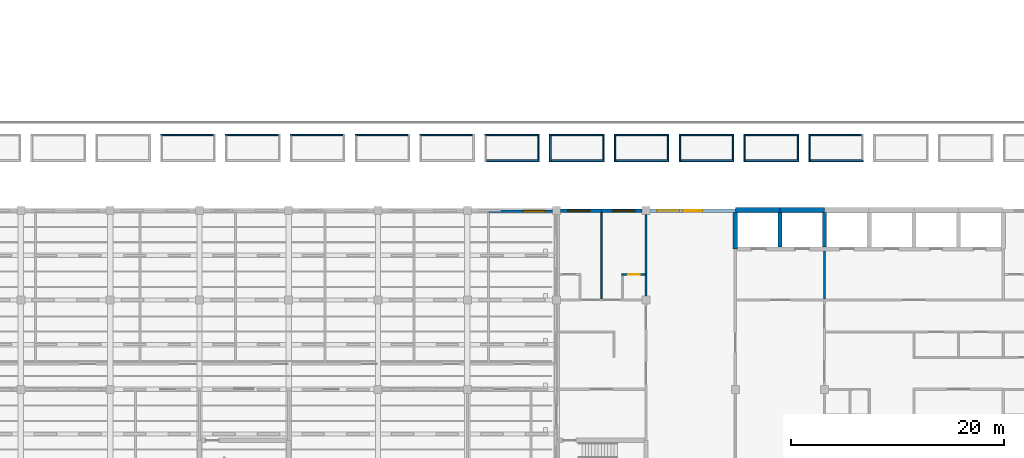
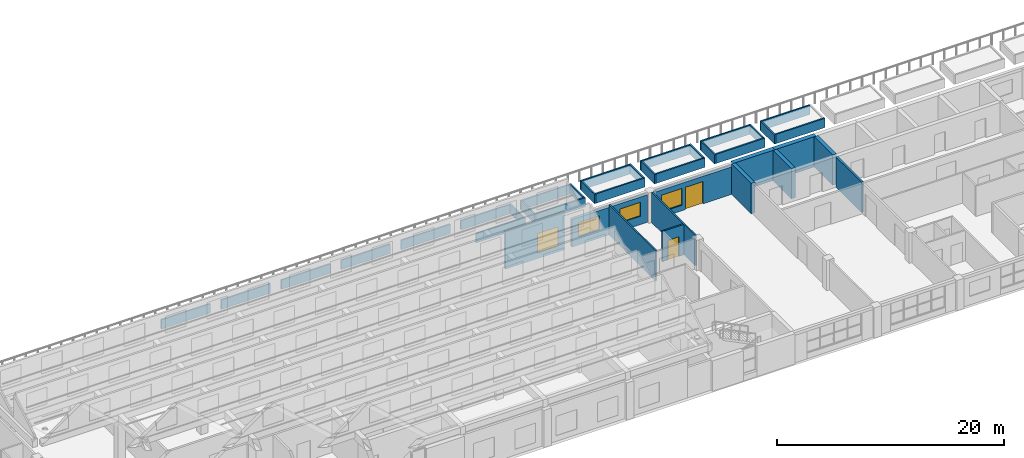
# One storey, part 39 of 61: 40 walls, 4 windows, 2 doors, 6 openings.
"""IFC4 building model written with IfcOpenShell, lengths in metres."""

from ifc_helpers import new_model, si_unit, direction, frame, frame_2d, origin, place, context, subcontext, project, spatial, rectangle, extrude, material, layer, layer_set, type_object, element, fill, save


model = new_model("IFC4")

# Units and contexts
model_context = context("Model", 3, precision=1e-05, world=origin(), true_north=direction((0.0, 1.0)))
body_context = subcontext(model_context, "Body", "Model", "MODEL_VIEW")
ifc_project = project(units=[si_unit("LENGTHUNIT", "METRE"), si_unit("AREAUNIT", "SQUARE_METRE"), si_unit("VOLUMEUNIT", "CUBIC_METRE"), si_unit("PLANEANGLEUNIT", "RADIAN"), si_unit("MASSUNIT", "GRAM", prefix="KILO")], contexts=[model_context])

# Site, building, storey
site_placement = place(None, origin())
site = spatial("IfcSite", under=ifc_project, at=site_placement, CompositionType="ELEMENT")
building_placement = place(site_placement, origin())
building = spatial("IfcBuilding", under=site, at=building_placement, Name="Yavir Park General Hospital", CompositionType="ELEMENT")
storey_placement = place(building_placement, frame((0.0, 0.0, 15.300048828125)))
storey = spatial("IfcBuildingStorey", under=building, at=storey_placement, Name="L03", CompositionType="ELEMENT", Elevation=15.300048828125)

# Wall
ifc_material_1 = material(Name="Double gypsum board fire partition on steel studs", Category="steel")
ifc_layer_1 = layer(ifc_material_1, 0.199951171875)
ifc_layer_set_1 = layer_set([ifc_layer_1], Name="Double gypsum board fire partition on steel studs")
wall_type_1 = type_object("IfcWallType", Name="Fire-rated partition 200, EI 60", PredefinedType="PARTITIONING", material=ifc_layer_set_1)
wall_1_placement = place(storey_placement, frame((126.0, 16.89990234375, 0.0), z_axis=(0.0, 0.0, 1.0), x_axis=(0.0, 1.0, 0.0)))
element("IfcWall", 1, at=wall_1_placement, inside=storey, type_object=wall_type_1, Name="FP20 L03-259", PredefinedType="PARTITIONING", context=body_context, shape_type="SweptSolid", body=[
    extrude(rectangle(XDim=4.5, YDim=0.199951171875, at=frame_2d((2.25, 0.0))), origin(), (0.0, 0.0, 1.0), 3.260009765625),
])

# Wall, opening, door
ifc_material_2 = material(Name="Gypsum board partition on steel studs", Category="steel")
ifc_layer_2 = layer(ifc_material_2, 0.14990234375)
ifc_layer_set_2 = layer_set([ifc_layer_2], Name="Gypsum board partition on steel studs")
wall_type_2 = type_object("IfcWallType", Name="Gypsum board partition 150", PredefinedType="PARTITIONING", material=ifc_layer_set_2)
wall_2_placement = place(storey_placement, frame((106.925048828125, 19.199951171875, 0.0), z_axis=(0.0, 0.0, 1.0), x_axis=(1.0, 0.0, 0.0)))
wall_2 = element("IfcWall", 2, at=wall_2_placement, inside=storey, type_object=wall_type_2, Name="P15 L03-054", PredefinedType="PARTITIONING", context=body_context, shape_type="SweptSolid", body=[
    extrude(rectangle(XDim=2.199951171875, YDim=0.14990234375, at=frame_2d((1.10009765625, 0.0))), origin(), (0.0, 0.0, 1.0), 3.260009765625),
])
opening_1_placement = place(wall_2_placement, frame((0.58740234375, 0.0, 0.0)))
opening_1 = element("IfcOpeningElement", 3, at=opening_1_placement, cuts=wall_2, Name="Opening L03.D067", PredefinedType="OPENING", context=body_context, shape_type="SweptSolid", body=[
    extrude(rectangle(XDim=1.10009765625, YDim=2.10009765625, at=frame_2d((0.550048828125, 1.050048828125))), frame((0.0, 0.0849609375, 0.0), z_axis=(0.0, -1.0, 0.0), x_axis=(1.0, 0.0, 0.0)), (0.0, 0.0, 1.0), 0.169921875),
])
ifc_material_3 = material(Name="Hollow metal frame, solid-core timber leaf", Category="wood")
door_type_1 = type_object("IfcDoorType", Name="Single swing door 1100 x 2100", OperationType="SINGLE_SWING_LEFT", PredefinedType="DOOR", material=ifc_material_3)
door_1_placement = place(opening_1_placement, origin())
door_1 = element("IfcDoor", 4, at=door_1_placement, inside=storey, type_object=door_type_1, Name="L03.D067", OperationType="SINGLE_SWING_LEFT", OverallHeight=2.10009765625, OverallWidth=1.10009765625, PredefinedType="DOOR", context=body_context, shape_type="SweptSolid", body=[
    extrude(rectangle(XDim=1.10009765625, YDim=2.10009765625, at=frame_2d((0.550048828125, 1.050048828125))), frame((0.0, 0.02490234375, 0.0), z_axis=(0.0, -1.0, 0.0), x_axis=(1.0, 0.0, 0.0)), (0.0, 0.0, 1.0), 0.050048828125),
])
fill(opening_1, door_1)

# Walls
wall_3_placement = place(storey_placement, frame((105.0, 16.875, 0.0), z_axis=(0.0, 0.0, 1.0), x_axis=(0.0, 1.0, 0.0)))
element("IfcWall", 5, at=wall_3_placement, inside=storey, type_object=wall_type_2, Name="P15 L03-247", PredefinedType="PARTITIONING", context=body_context, shape_type="SweptSolid", body=[
    extrude(rectangle(XDim=8.175048828125, YDim=0.14990234375, at=frame_2d((4.08740234375, 0.0))), origin(), (0.0, 0.0, 1.0), 3.260009765625),
])
wall_4_placement = place(storey_placement, frame((109.199951171875, 17.175048828125, 0.0), z_axis=(0.0, 0.0, 1.0), x_axis=(0.0, 1.0, 0.0)))
element("IfcWall", 6, at=wall_4_placement, inside=storey, type_object=wall_type_2, Name="P15 L03-252", PredefinedType="PARTITIONING", context=body_context, shape_type="SweptSolid", body=[
    extrude(rectangle(XDim=7.64990234375, YDim=0.14990234375, at=frame_2d((3.824951171875, 0.0))), origin(), (0.0, 0.0, 1.0), 3.260009765625),
])

# Wall, opening, window
ifc_material_4 = material(Name="Insulated sheet steel panels on a Steel S355 subframe", Category="steel")
ifc_layer_3 = layer(ifc_material_4, 0.22509765625)
ifc_layer_set_3 = layer_set([ifc_layer_3], Name="Insulated sheet steel panels on a Steel S355 subframe")
wall_type_3 = type_object("IfcWallType", Name="Louvred plant wall 225, E 30", PredefinedType="SOLIDWALL", material=ifc_layer_set_3)
wall_5_placement = place(storey_placement, frame((94.39990234375, 25.16259765625, 0.0), z_axis=(0.0, 0.0, 1.0), x_axis=(1.0, 0.0, 0.0)))
wall_5 = element("IfcWall", 7, at=wall_5_placement, inside=storey, type_object=wall_type_3, Name="XW4 L03-060", PredefinedType="SOLIDWALL", context=body_context, shape_type="SweptSolid", body=[
    extrude(rectangle(XDim=6.025146484375, YDim=0.22509765625, at=frame_2d((3.0126953125, 0.0))), origin(), (0.0, 0.0, 1.0), 4.0),
])
opening_2_placement = place(wall_5_placement, frame((3.25, 0.0, 0.60009765625)))
opening_2 = element("IfcOpeningElement", 8, at=opening_2_placement, cuts=wall_5, Name="Opening LV2", PredefinedType="OPENING", context=body_context, shape_type="SweptSolid", body=[
    extrude(rectangle(XDim=2.10009765625, YDim=2.10009765625, at=frame_2d((1.050048828125, 1.050048828125))), frame((0.0, 0.12255859375, 0.0), z_axis=(0.0, -1.0, 0.0), x_axis=(1.0, 0.0, 0.0)), (0.0, 0.0, 1.0), 0.2451171875),
])
ifc_material_5 = material(Name="Anodised aluminium louvre blades in a deep frame", Category="aluminium")
window_type_1 = type_object("IfcWindowType", Name="Tall plant louvre 2100 x 2100", PartitioningType="SINGLE_PANEL", PredefinedType="WINDOW", material=ifc_material_5)
window_1_placement = place(opening_2_placement, origin())
window_1 = element("IfcWindow", 9, at=window_1_placement, inside=storey, type_object=window_type_1, Name="LV2 L03-034", OverallHeight=2.10009765625, OverallWidth=2.10009765625, PartitioningType="SINGLE_PANEL", PredefinedType="WINDOW", context=body_context, shape_type="SweptSolid", body=[
    extrude(rectangle(XDim=2.10009765625, YDim=2.10009765625, at=frame_2d((1.050048828125, 1.050048828125))), frame((0.0, 0.074951171875, 0.0), z_axis=(0.0, -1.0, 0.0), x_axis=(1.0, 0.0, 0.0)), (0.0, 0.0, 1.0), 0.14990234375),
])
fill(opening_2, window_1)

ifc_material_6 = material(Name="Autoclaved aerated block, mineral wool and ochre mineral render")
ifc_layer_4 = layer(ifc_material_6, 0.300048828125)
ifc_layer_set_4 = layer_set([ifc_layer_4], Name="Autoclaved aerated block, mineral wool and ochre mineral render")
wall_type_4 = type_object("IfcWallType", Name="Ochre render ward wall 300, E 30", PredefinedType="SOLIDWALL", material=ifc_layer_set_4)
wall_6_placement = place(storey_placement, frame((101.175048828125, 25.199951171875, 0.0), z_axis=(0.0, 0.0, 1.0), x_axis=(1.0, 0.0, 0.0)))
wall_6 = element("IfcWall", 10, at=wall_6_placement, inside=storey, type_object=wall_type_4, Name="XW7 L03-061", PredefinedType="SOLIDWALL", context=body_context, shape_type="SweptSolid", body=[
    extrude(rectangle(XDim=3.824951171875, YDim=0.300048828125, at=frame_2d((1.91259765625, 0.0))), origin(), (0.0, 0.0, 1.0), 2.9599609375),
])
opening_3_placement = place(wall_6_placement, frame((0.675048828125, 0.0, 0.89990234375)))
opening_3 = element("IfcOpeningElement", 11, at=opening_3_placement, cuts=wall_6, Name="Opening WAR", PredefinedType="OPENING", context=body_context, shape_type="SweptSolid", body=[
    extrude(rectangle(XDim=2.10009765625, YDim=1.5, at=frame_2d((1.050048828125, 0.75))), frame((0.0, 0.159912109375, 0.0), z_axis=(0.0, -1.0, 0.0), x_axis=(1.0, 0.0, 0.0)), (0.0, 0.0, 1.0), 0.320068359375),
])
ifc_material_7 = material(Name="Aluminium frame, tilt-and-turn sash with opening restrictor, double glazed unit", Category="aluminium")
window_type_2 = type_object("IfcWindowType", Name="Ward window, restricted opening 2100 x 1500", PartitioningType="DOUBLE_PANEL_VERTICAL", PredefinedType="WINDOW", material=ifc_material_7)
window_2_placement = place(opening_3_placement, origin())
window_2 = element("IfcWindow", 12, at=window_2_placement, inside=storey, type_object=window_type_2, Name="WAR L03-035", OverallHeight=1.5, OverallWidth=2.10009765625, PartitioningType="DOUBLE_PANEL_VERTICAL", PredefinedType="WINDOW", context=body_context, shape_type="SweptSolid", body=[
    extrude(rectangle(XDim=2.10009765625, YDim=1.5, at=frame_2d((1.050048828125, 0.75))), frame((0.0, 0.050048828125, 0.0), z_axis=(0.0, -1.0, 0.0), x_axis=(1.0, 0.0, 0.0)), (0.0, 0.0, 1.0), 0.10009765625),
])
fill(opening_3, window_2)

wall_7_placement = place(storey_placement, frame((105.0, 25.199951171875, 0.0), z_axis=(0.0, 0.0, 1.0), x_axis=(1.0, 0.0, 0.0)))
wall_7 = element("IfcWall", 13, at=wall_7_placement, inside=storey, type_object=wall_type_4, Name="XW7 L03-062", PredefinedType="SOLIDWALL", context=body_context, shape_type="SweptSolid", body=[
    extrude(rectangle(XDim=3.824951171875, YDim=0.300048828125, at=frame_2d((1.91259765625, 0.0))), origin(), (0.0, 0.0, 1.0), 2.9599609375),
])
opening_4_placement = place(wall_7_placement, frame((1.050048828125, 0.0, 0.89990234375)))
opening_4 = element("IfcOpeningElement", 14, at=opening_4_placement, cuts=wall_7, Name="Opening WAR", PredefinedType="OPENING", context=body_context, shape_type="SweptSolid", body=[
    extrude(rectangle(XDim=2.10009765625, YDim=1.5, at=frame_2d((1.050048828125, 0.75))), frame((0.0, 0.159912109375, 0.0), z_axis=(0.0, -1.0, 0.0), x_axis=(1.0, 0.0, 0.0)), (0.0, 0.0, 1.0), 0.320068359375),
])
window_3_placement = place(opening_4_placement, origin())
window_3 = element("IfcWindow", 15, at=window_3_placement, inside=storey, type_object=window_type_2, Name="WAR L03-036", OverallHeight=1.5, OverallWidth=2.10009765625, PartitioningType="DOUBLE_PANEL_VERTICAL", PredefinedType="WINDOW", context=body_context, shape_type="SweptSolid", body=[
    extrude(rectangle(XDim=2.10009765625, YDim=1.5, at=frame_2d((1.050048828125, 0.75))), frame((0.0, 0.050048828125, 0.0), z_axis=(0.0, -1.0, 0.0), x_axis=(1.0, 0.0, 0.0)), (0.0, 0.0, 1.0), 0.10009765625),
])
fill(opening_4, window_3)

# Wall, openings, window, door
wall_8_placement = place(storey_placement, frame((109.574951171875, 25.199951171875, 0.0), z_axis=(0.0, 0.0, 1.0), x_axis=(1.0, 0.0, 0.0)))
wall_8 = element("IfcWall", 16, at=wall_8_placement, inside=storey, type_object=wall_type_4, Name="XW7 L03-063", PredefinedType="SOLIDWALL", context=body_context, shape_type="SweptSolid", body=[
    extrude(rectangle(XDim=8.025146484375, YDim=0.300048828125, at=frame_2d((4.0126953125, 0.0))), origin(), (0.0, 0.0, 1.0), 2.9599609375),
])
opening_5_placement = place(wall_8_placement, frame((0.675048828125, 0.0, 0.60009765625)))
opening_5 = element("IfcOpeningElement", 17, at=opening_5_placement, cuts=wall_8, Name="Opening WB", PredefinedType="OPENING", context=body_context, shape_type="SweptSolid", body=[
    extrude(rectangle(XDim=2.10009765625, YDim=1.800048828125, at=frame_2d((1.050048828125, 0.89990234375))), frame((0.0, 0.159912109375, 0.0), z_axis=(0.0, -1.0, 0.0), x_axis=(1.0, 0.0, 0.0)), (0.0, 0.0, 1.0), 0.320068359375),
])
opening_6_placement = place(wall_8_placement, frame((3.112548828125, 0.0, 0.0)))
opening_6 = element("IfcOpeningElement", 18, at=opening_6_placement, cuts=wall_8, Name="Opening L03.X02", PredefinedType="OPENING", context=body_context, shape_type="SweptSolid", body=[
    extrude(rectangle(XDim=1.800048828125, YDim=2.39990234375, at=frame_2d((0.89990234375, 1.199951171875))), frame((0.0, 0.159912109375, 0.0), z_axis=(0.0, -1.0, 0.0), x_axis=(1.0, 0.0, 0.0)), (0.0, 0.0, 1.0), 0.320068359375),
])
ifc_material_8 = material(Name="Aluminium frame, double glazed unit", Category="aluminium")
window_type_3 = type_object("IfcWindowType", Name="Day room low-sill window 2100 x 1800", PartitioningType="DOUBLE_PANEL_VERTICAL", PredefinedType="WINDOW", material=ifc_material_8)
window_4_placement = place(opening_5_placement, origin())
window_4 = element("IfcWindow", 19, at=window_4_placement, inside=storey, type_object=window_type_3, Name="WB L03-037", OverallHeight=1.800048828125, OverallWidth=2.10009765625, PartitioningType="DOUBLE_PANEL_VERTICAL", PredefinedType="WINDOW", context=body_context, shape_type="SweptSolid", body=[
    extrude(rectangle(XDim=2.10009765625, YDim=1.800048828125, at=frame_2d((1.050048828125, 0.89990234375))), frame((0.0, 0.030029296875, 0.0), z_axis=(0.0, -1.0, 0.0), x_axis=(1.0, 0.0, 0.0)), (0.0, 0.0, 1.0), 0.06005859375),
])
fill(opening_5, window_4)
ifc_material_9 = material(Name="Aluminium thermal-break frame, double glazed leaves", Category="aluminium")
door_type_2 = type_object("IfcDoorType", Name="Thermally broken balcony sliding door 1800 x 2400", OperationType="DOUBLE_DOOR_SLIDING", PredefinedType="DOOR", material=ifc_material_9)
door_2_placement = place(opening_6_placement, origin())
door_2 = element("IfcDoor", 20, at=door_2_placement, inside=storey, type_object=door_type_2, Name="L03.X02", OperationType="DOUBLE_DOOR_SLIDING", OverallHeight=2.39990234375, OverallWidth=1.800048828125, PredefinedType="DOOR", context=body_context, shape_type="SweptSolid", body=[
    extrude(rectangle(XDim=1.800048828125, YDim=2.39990234375, at=frame_2d((0.89990234375, 1.199951171875))), frame((0.0, 0.030029296875, 0.0), z_axis=(0.0, -1.0, 0.0), x_axis=(1.0, 0.0, 0.0)), (0.0, 0.0, 1.0), 0.06005859375),
])
fill(opening_6, door_2)

# Walls
ifc_material_10 = material(Name="Concrete C30/37", Category="concrete")
ifc_layer_5 = layer(ifc_material_10, 0.14990234375)
ifc_layer_set_5 = layer_set([ifc_layer_5], Name="Concrete C30/37")
wall_type_5 = type_object("IfcWallType", Name="Planter upstand 150 x 1000", PredefinedType="STANDARD", material=ifc_layer_set_5)
for number, where, z_axis, x_axis, name in (
    (21, (68.546630859375, 32.300048828125, 0.0), (0.0, 0.0, 1.0), (-1.0, 0.0, 0.0), "Planter upstand 7.3"),
    (22, (74.642333984375, 32.300048828125, 0.0), (0.0, 0.0, 1.0), (-1.0, 0.0, 0.0), "Planter upstand 8.3"),
    (23, (80.738037109375, 32.300048828125, 0.0), (0.0, 0.0, 1.0), (-1.0, 0.0, 0.0), "Planter upstand 9.3"),
    (24, (86.833740234375, 32.300048828125, 0.0), (0.0, 0.0, 1.0), (-1.0, 0.0, 0.0), "Planter upstand 10.3"),
    (25, (92.92919921875, 32.300048828125, 0.0), (0.0, 0.0, 1.0), (-1.0, 0.0, 0.0), "Planter upstand 11.3"),
    (26, (94.175048828125, 29.89990234375, 0.0), (0.0, 0.0, 1.0), (1.0, 0.0, 0.0), "Planter upstand 12.1"),
):
    element("IfcWall", number, at=place(storey_placement, frame(where, z_axis=z_axis, x_axis=x_axis)), inside=storey, type_object=wall_type_5, Name=name, PredefinedType="STANDARD", context=body_context, shape_type="SweptSolid", body=[
        extrude(rectangle(XDim=5.0, YDim=0.14990234375, at=frame_2d((2.5, 0.0))), origin(), (0.0, 0.0, 1.0), 1.0),
    ])
wall_9_placement = place(storey_placement, frame((99.10009765625, 29.97509765625, 0.0), z_axis=(0.0, 0.0, 1.0), x_axis=(0.0, 1.0, 0.0)))
element("IfcWall", 27, at=wall_9_placement, inside=storey, type_object=wall_type_5, Name="Planter upstand 12.2", PredefinedType="STANDARD", context=body_context, shape_type="SweptSolid", body=[
    extrude(rectangle(XDim=2.39990234375, YDim=0.14990234375, at=frame_2d((1.199951171875, 0.0))), origin(), (0.0, 0.0, 1.0), 1.0),
])
for number, where, z_axis, x_axis, name in (
    (28, (99.02490234375, 32.300048828125, 0.0), (0.0, 0.0, 1.0), (-1.0, 0.0, 0.0), "Planter upstand 12.3"),
    (29, (100.270751953125, 29.89990234375, 0.0), (0.0, 0.0, 1.0), (1.0, 0.0, 0.0), "Planter upstand 13.1"),
):
    element("IfcWall", number, at=place(storey_placement, frame(where, z_axis=z_axis, x_axis=x_axis)), inside=storey, type_object=wall_type_5, Name=name, PredefinedType="STANDARD", context=body_context, shape_type="SweptSolid", body=[
        extrude(rectangle(XDim=5.0, YDim=0.14990234375, at=frame_2d((2.5, 0.0))), origin(), (0.0, 0.0, 1.0), 1.0),
    ])
wall_10_placement = place(storey_placement, frame((105.19580078125, 29.97509765625, 0.0), z_axis=(0.0, 0.0, 1.0), x_axis=(0.0, 1.0, 0.0)))
element("IfcWall", 30, at=wall_10_placement, inside=storey, type_object=wall_type_5, Name="Planter upstand 13.2", PredefinedType="STANDARD", context=body_context, shape_type="SweptSolid", body=[
    extrude(rectangle(XDim=2.39990234375, YDim=0.14990234375, at=frame_2d((1.199951171875, 0.0))), origin(), (0.0, 0.0, 1.0), 1.0),
])
wall_11_placement = place(storey_placement, frame((105.12060546875, 32.300048828125, 0.0), z_axis=(0.0, 0.0, 1.0), x_axis=(-1.0, 0.0, 0.0)))
element("IfcWall", 31, at=wall_11_placement, inside=storey, type_object=wall_type_5, Name="Planter upstand 13.3", PredefinedType="STANDARD", context=body_context, shape_type="SweptSolid", body=[
    extrude(rectangle(XDim=5.0, YDim=0.14990234375, at=frame_2d((2.5, 0.0))), origin(), (0.0, 0.0, 1.0), 1.0),
])
wall_12_placement = place(storey_placement, frame((100.19580078125, 32.22509765625, 0.0), z_axis=(0.0, 0.0, 1.0), x_axis=(0.0, -1.0, 0.0)))
element("IfcWall", 32, at=wall_12_placement, inside=storey, type_object=wall_type_5, Name="Planter upstand 13.4", PredefinedType="STANDARD", context=body_context, shape_type="SweptSolid", body=[
    extrude(rectangle(XDim=2.400146484375, YDim=0.14990234375, at=frame_2d((1.2001953125, 0.0))), origin(), (0.0, 0.0, 1.0), 1.0),
])
wall_13_placement = place(storey_placement, frame((106.3662109375, 29.89990234375, 0.0), z_axis=(0.0, 0.0, 1.0), x_axis=(1.0, 0.0, 0.0)))
element("IfcWall", 33, at=wall_13_placement, inside=storey, type_object=wall_type_5, Name="Planter upstand 14.1", PredefinedType="STANDARD", context=body_context, shape_type="SweptSolid", body=[
    extrude(rectangle(XDim=5.0, YDim=0.14990234375, at=frame_2d((2.5, 0.0))), origin(), (0.0, 0.0, 1.0), 1.0),
])
wall_14_placement = place(storey_placement, frame((111.291259765625, 29.97509765625, 0.0), z_axis=(0.0, 0.0, 1.0), x_axis=(0.0, 1.0, 0.0)))
element("IfcWall", 34, at=wall_14_placement, inside=storey, type_object=wall_type_5, Name="Planter upstand 14.2", PredefinedType="STANDARD", context=body_context, shape_type="SweptSolid", body=[
    extrude(rectangle(XDim=2.39990234375, YDim=0.14990234375, at=frame_2d((1.199951171875, 0.0))), origin(), (0.0, 0.0, 1.0), 1.0),
])
wall_15_placement = place(storey_placement, frame((111.21630859375, 32.300048828125, 0.0), z_axis=(0.0, 0.0, 1.0), x_axis=(-1.0, 0.0, 0.0)))
element("IfcWall", 35, at=wall_15_placement, inside=storey, type_object=wall_type_5, Name="Planter upstand 14.3", PredefinedType="STANDARD", context=body_context, shape_type="SweptSolid", body=[
    extrude(rectangle(XDim=5.0, YDim=0.14990234375, at=frame_2d((2.5, 0.0))), origin(), (0.0, 0.0, 1.0), 1.0),
])
wall_16_placement = place(storey_placement, frame((106.291259765625, 32.22509765625, 0.0), z_axis=(0.0, 0.0, 1.0), x_axis=(0.0, -1.0, 0.0)))
element("IfcWall", 36, at=wall_16_placement, inside=storey, type_object=wall_type_5, Name="Planter upstand 14.4", PredefinedType="STANDARD", context=body_context, shape_type="SweptSolid", body=[
    extrude(rectangle(XDim=2.400146484375, YDim=0.14990234375, at=frame_2d((1.2001953125, 0.0))), origin(), (0.0, 0.0, 1.0), 1.0),
])
wall_17_placement = place(storey_placement, frame((112.4619140625, 29.89990234375, 0.0), z_axis=(0.0, 0.0, 1.0), x_axis=(1.0, 0.0, 0.0)))
element("IfcWall", 37, at=wall_17_placement, inside=storey, type_object=wall_type_5, Name="Planter upstand 15.1", PredefinedType="STANDARD", context=body_context, shape_type="SweptSolid", body=[
    extrude(rectangle(XDim=5.0, YDim=0.14990234375, at=frame_2d((2.5, 0.0))), origin(), (0.0, 0.0, 1.0), 1.0),
])
wall_18_placement = place(storey_placement, frame((117.386962890625, 29.97509765625, 0.0), z_axis=(0.0, 0.0, 1.0), x_axis=(0.0, 1.0, 0.0)))
element("IfcWall", 38, at=wall_18_placement, inside=storey, type_object=wall_type_5, Name="Planter upstand 15.2", PredefinedType="STANDARD", context=body_context, shape_type="SweptSolid", body=[
    extrude(rectangle(XDim=2.39990234375, YDim=0.14990234375, at=frame_2d((1.199951171875, 0.0))), origin(), (0.0, 0.0, 1.0), 1.0),
])
wall_19_placement = place(storey_placement, frame((117.31201171875, 32.300048828125, 0.0), z_axis=(0.0, 0.0, 1.0), x_axis=(-1.0, 0.0, 0.0)))
element("IfcWall", 39, at=wall_19_placement, inside=storey, type_object=wall_type_5, Name="Planter upstand 15.3", PredefinedType="STANDARD", context=body_context, shape_type="SweptSolid", body=[
    extrude(rectangle(XDim=5.0, YDim=0.14990234375, at=frame_2d((2.5, 0.0))), origin(), (0.0, 0.0, 1.0), 1.0),
])
wall_20_placement = place(storey_placement, frame((112.386962890625, 32.22509765625, 0.0), z_axis=(0.0, 0.0, 1.0), x_axis=(0.0, -1.0, 0.0)))
element("IfcWall", 40, at=wall_20_placement, inside=storey, type_object=wall_type_5, Name="Planter upstand 15.4", PredefinedType="STANDARD", context=body_context, shape_type="SweptSolid", body=[
    extrude(rectangle(XDim=2.400146484375, YDim=0.14990234375, at=frame_2d((1.2001953125, 0.0))), origin(), (0.0, 0.0, 1.0), 1.0),
])
wall_21_placement = place(storey_placement, frame((118.5576171875, 29.89990234375, 0.0), z_axis=(0.0, 0.0, 1.0), x_axis=(1.0, 0.0, 0.0)))
element("IfcWall", 41, at=wall_21_placement, inside=storey, type_object=wall_type_5, Name="Planter upstand 16.1", PredefinedType="STANDARD", context=body_context, shape_type="SweptSolid", body=[
    extrude(rectangle(XDim=5.0, YDim=0.14990234375, at=frame_2d((2.5, 0.0))), origin(), (0.0, 0.0, 1.0), 1.0),
])
wall_22_placement = place(storey_placement, frame((123.482666015625, 29.97509765625, 0.0), z_axis=(0.0, 0.0, 1.0), x_axis=(0.0, 1.0, 0.0)))
element("IfcWall", 42, at=wall_22_placement, inside=storey, type_object=wall_type_5, Name="Planter upstand 16.2", PredefinedType="STANDARD", context=body_context, shape_type="SweptSolid", body=[
    extrude(rectangle(XDim=2.39990234375, YDim=0.14990234375, at=frame_2d((1.199951171875, 0.0))), origin(), (0.0, 0.0, 1.0), 1.0),
])
wall_23_placement = place(storey_placement, frame((123.40771484375, 32.300048828125, 0.0), z_axis=(0.0, 0.0, 1.0), x_axis=(-1.0, 0.0, 0.0)))
element("IfcWall", 43, at=wall_23_placement, inside=storey, type_object=wall_type_5, Name="Planter upstand 16.3", PredefinedType="STANDARD", context=body_context, shape_type="SweptSolid", body=[
    extrude(rectangle(XDim=5.0, YDim=0.14990234375, at=frame_2d((2.5, 0.0))), origin(), (0.0, 0.0, 1.0), 1.0),
])
wall_24_placement = place(storey_placement, frame((118.482666015625, 32.22509765625, 0.0), z_axis=(0.0, 0.0, 1.0), x_axis=(0.0, -1.0, 0.0)))
element("IfcWall", 44, at=wall_24_placement, inside=storey, type_object=wall_type_5, Name="Planter upstand 16.4", PredefinedType="STANDARD", context=body_context, shape_type="SweptSolid", body=[
    extrude(rectangle(XDim=2.400146484375, YDim=0.14990234375, at=frame_2d((1.2001953125, 0.0))), origin(), (0.0, 0.0, 1.0), 1.0),
])
for number, where, z_axis, x_axis, name in (
    (45, (124.6533203125, 29.89990234375, 0.0), (0.0, 0.0, 1.0), (1.0, 0.0, 0.0), "Planter upstand 17.1"),
    (46, (129.50341796875, 32.300048828125, 0.0), (0.0, 0.0, 1.0), (-1.0, 0.0, 0.0), "Planter upstand 17.3"),
):
    element("IfcWall", number, at=place(storey_placement, frame(where, z_axis=z_axis, x_axis=x_axis)), inside=storey, type_object=wall_type_5, Name=name, PredefinedType="STANDARD", context=body_context, shape_type="SweptSolid", body=[
        extrude(rectangle(XDim=5.0, YDim=0.14990234375, at=frame_2d((2.5, 0.0))), origin(), (0.0, 0.0, 1.0), 1.0),
    ])
wall_25_placement = place(storey_placement, frame((124.578369140625, 32.22509765625, 0.0), z_axis=(0.0, 0.0, 1.0), x_axis=(0.0, -1.0, 0.0)))
element("IfcWall", 47, at=wall_25_placement, inside=storey, type_object=wall_type_5, Name="Planter upstand 17.4", PredefinedType="STANDARD", context=body_context, shape_type="SweptSolid", body=[
    extrude(rectangle(XDim=2.400146484375, YDim=0.14990234375, at=frame_2d((1.2001953125, 0.0))), origin(), (0.0, 0.0, 1.0), 1.0),
])
ifc_material_11 = material(Name="Concrete C35/45", Category="concrete")
ifc_layer_6 = layer(ifc_material_11, 0.39990234375)
ifc_layer_set_6 = layer_set([ifc_layer_6], Name="Concrete C35/45")
wall_type_6 = type_object("IfcWallType", Name="Reinforced concrete core wall 400, REI 150", PredefinedType="SHEAR", material=ifc_layer_set_6)
wall_26_placement = place(storey_placement, frame((117.60009765625, 21.60009765625, 0.0), z_axis=(0.0, 0.0, 1.0), x_axis=(0.0, 1.0, 0.0)))
element("IfcWall", 48, at=wall_26_placement, inside=storey, type_object=wall_type_6, Name="CW40 L03-255", PredefinedType="SHEAR", context=body_context, shape_type="SweptSolid", body=[
    extrude(rectangle(XDim=3.449951171875, YDim=0.39990234375, at=frame_2d((1.72509765625, 0.0))), origin(), (0.0, 0.0, 1.0), 3.260009765625),
])
for number, where, z_axis, x_axis, name in (
    (49, (121.800048828125, 21.800048828125, 0.0), (0.0, 0.0, 1.0), (0.0, 1.0, 0.0), "CW40 L03-256"),
    (50, (126.0, 21.800048828125, 0.0), (0.0, 0.0, 1.0), (0.0, 1.0, 0.0), "CW40 L03-260"),
):
    element("IfcWall", number, at=place(storey_placement, frame(where, z_axis=z_axis, x_axis=x_axis)), inside=storey, type_object=wall_type_6, Name=name, PredefinedType="SHEAR", context=body_context, shape_type="SweptSolid", body=[
        extrude(rectangle(XDim=3.25, YDim=0.39990234375, at=frame_2d((1.625, 0.0))), origin(), (0.0, 0.0, 1.0), 3.260009765625),
    ])
ifc_material_12 = material(Name="Concrete C30/37 precast panel with 150 mm mineral wool insulation", Category="concrete")
ifc_layer_7 = layer(ifc_material_12, 0.449951171875)
ifc_layer_set_7 = layer_set([ifc_layer_7], Name="Concrete C30/37 precast panel with 150 mm mineral wool insulation")
wall_type_7 = type_object("IfcWallType", Name="Stair enclosure wall 450, REI 150", PredefinedType="SOLIDWALL", material=ifc_layer_set_7)
for number, where, z_axis, x_axis, name in (
    (51, (117.60009765625, 25.27490234375, 0.0), (0.0, 0.0, 1.0), (1.0, 0.0, 0.0), "XW6 L03-064"),
    (52, (121.800048828125, 25.27490234375, 0.0), (0.0, 0.0, 1.0), (1.0, 0.0, 0.0), "XW6 L03-065"),
):
    element("IfcWall", number, at=place(storey_placement, frame(where, z_axis=z_axis, x_axis=x_axis)), inside=storey, type_object=wall_type_7, Name=name, PredefinedType="SOLIDWALL", context=body_context, shape_type="SweptSolid", body=[
        extrude(rectangle(XDim=4.199951171875, YDim=0.449951171875, at=frame_2d((2.10009765625, 0.0))), origin(), (0.0, 0.0, 1.0), 3.260009765625),
    ])

save(model, "model.ifc")
